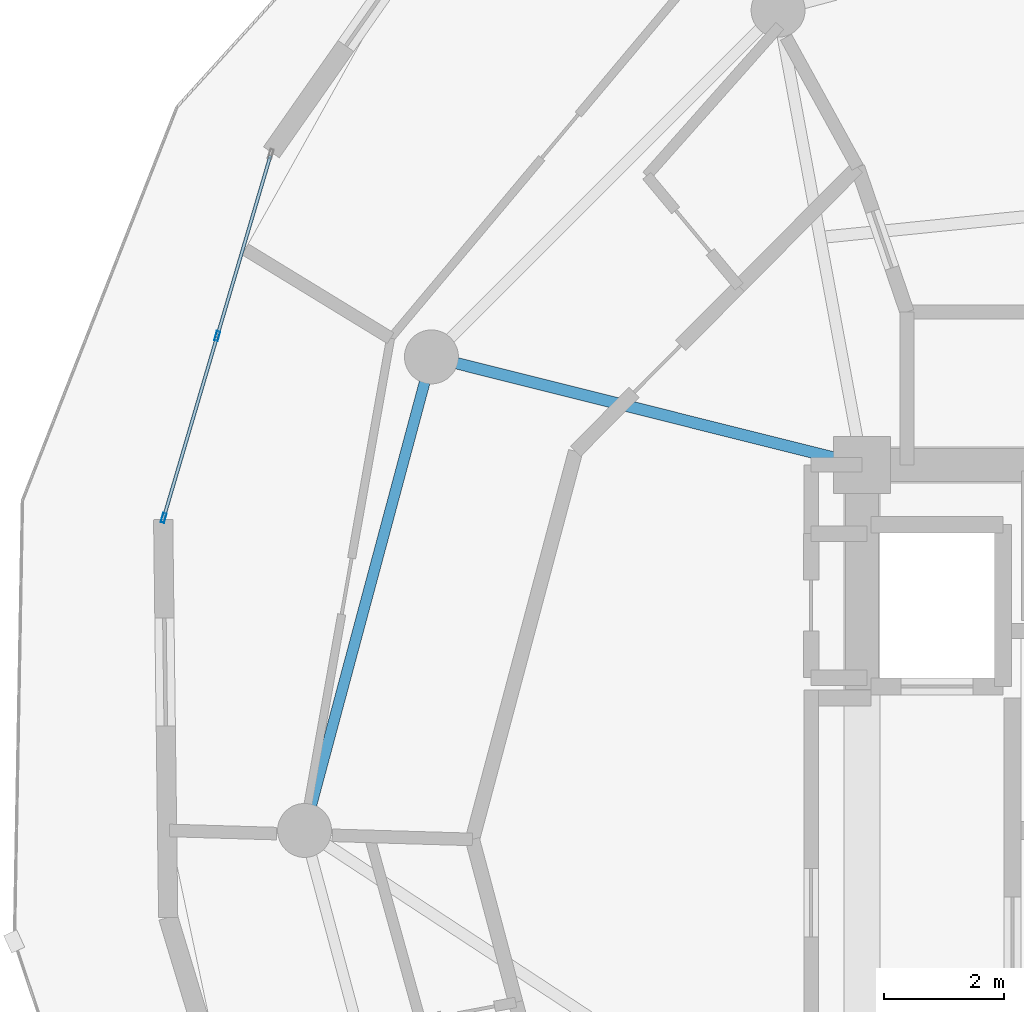
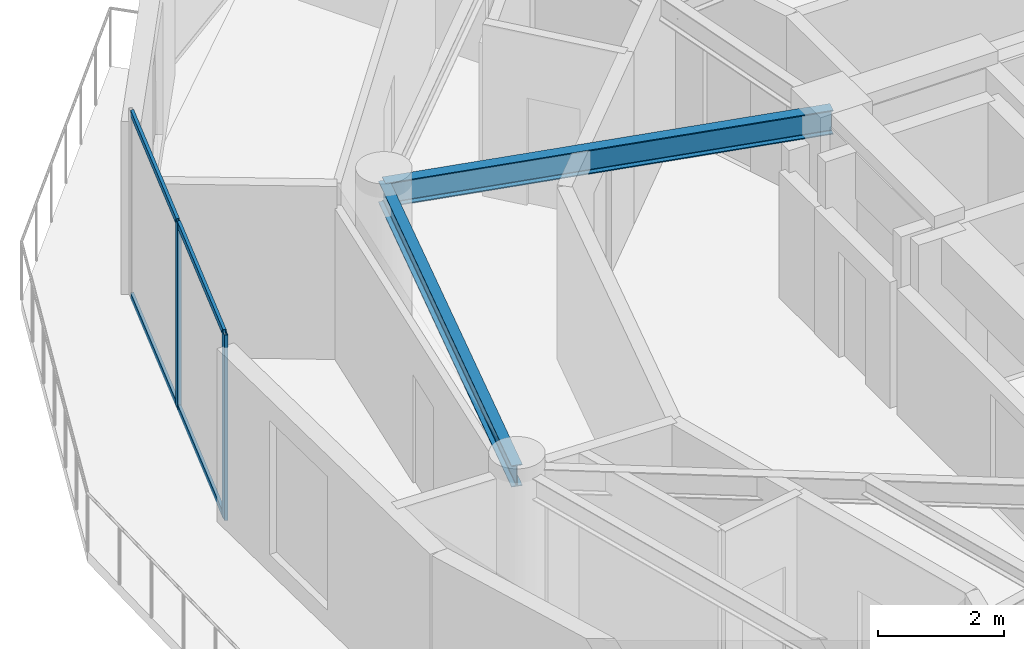
# One storey, part 7 of 21: 6 members, 2 beams, 1 element without a shape of its own.
"""IFC4 building model written with IfcOpenShell, lengths in metres."""

from ifc_helpers import new_model, si_unit, direction, frame, origin, origin_2d, place, context, subcontext, project, spatial, hollow_rectangle, i_section, extrude, source, transform, mapped, material, layer, layer_set, material_profile, profile_set, type_object, element, aggregate, save


model = new_model("IFC4")

# Units and contexts
model_context = context("Model", 3, precision=1e-05, world=origin(), true_north=direction((0.0, 1.0)))
body_context = subcontext(model_context, "Body", "Model", "MODEL_VIEW")
ifc_project = project(units=[si_unit("LENGTHUNIT", "METRE"), si_unit("AREAUNIT", "SQUARE_METRE"), si_unit("VOLUMEUNIT", "CUBIC_METRE"), si_unit("PLANEANGLEUNIT", "RADIAN"), si_unit("MASSUNIT", "GRAM", prefix="KILO")], contexts=[model_context])

# Site, building, storey
site_placement = place(None, origin())
site = spatial("IfcSite", under=ifc_project, at=site_placement, CompositionType="ELEMENT")
building_placement = place(site_placement, origin())
building = spatial("IfcBuilding", under=site, at=building_placement, Name="Solvirekh Grand Hotel", CompositionType="ELEMENT")
storey_placement = place(building_placement, frame((0.0, 0.0, 205.60009765625)))
storey = spatial("IfcBuildingStorey", under=building, at=storey_placement, Name="L53", CompositionType="ELEMENT", Elevation=205.60009765625)

# Beams
ifc_material_1 = material(Name="Steel S355", Category="steel")
ifc_material_profile_1 = material_profile(ifc_material_1, i_section(OverallWidth=0.194091796875, OverallDepth=0.468994140625, WebThickness=0.010986328125, FlangeThickness=0.01904296875, FilletRadius=0.012939453125, at=origin_2d()), Name="W460X106")
ifc_profile_set_1 = profile_set([ifc_material_profile_1], Name="Steel S355")
beam_type_1 = type_object("IfcBeamType", Name="Beam_Radial_W460H", PredefinedType="BEAM", material=ifc_profile_set_1)
beam_1_placement = place(storey_placement, frame((-6.5, 6.10009765625, 3.1259765625), z_axis=(-0.970014367692, 0.243047580675, 0.0), x_axis=(-0.243047580675, -0.970014367692, 0.0)))
element("IfcBeam", 1, at=beam_1_placement, inside=storey, type_object=beam_type_1, Name="L53 radial floor beam R06", PredefinedType="BEAM", context=body_context, shape_type="SweptSolid", body=[
    extrude(i_section(OverallWidth=0.194091796875, OverallDepth=0.468994140625, WebThickness=0.010986328125, FlangeThickness=0.01904296875, FilletRadius=0.012939453125, at=origin_2d()), origin(), (0.0, 0.0, 1.0), 7.4052734375),
])
ifc_material_profile_2 = material_profile(ifc_material_1, i_section(OverallWidth=0.180908203125, OverallDepth=0.4169921875, WebThickness=0.010009765625, FlangeThickness=0.01611328125, FilletRadius=0.011962890625, at=origin_2d()), Name="W410X85")
ifc_profile_set_2 = profile_set([ifc_material_profile_2], Name="Steel S355")
beam_type_2 = type_object("IfcBeamType", Name="Spandrel_Ring_W410", PredefinedType="SPANDREL", material=ifc_profile_set_2)
beam_2_placement = place(storey_placement, frame((-13.68310546875, 7.89990234375, 3.15185546875), z_axis=(-0.258838541915, -0.965920601923, 0.0), x_axis=(0.965920601923, -0.258838541915, 0.0)))
element("IfcBeam", 2, at=beam_2_placement, inside=storey, type_object=beam_type_2, Name="L53 perimeter spandrel beam 6", PredefinedType="SPANDREL", context=body_context, shape_type="SweptSolid", body=[
    extrude(i_section(OverallWidth=0.180908203125, OverallDepth=0.4169921875, WebThickness=0.010009765625, FlangeThickness=0.01611328125, FilletRadius=0.011962890625, at=origin_2d()), origin(), (0.0, 0.0, 1.0), 8.1787109375),
])

# Curtain wall, members
ifc_material_2 = material(Name="Anodized Bronze Aluminium 6063-T6", Category="aluminium")
ifc_layer = layer(ifc_material_2, 0.159912109375)
ifc_layer_set = layer_set([ifc_layer], Name="Anodized Bronze Aluminium 6063-T6")
curtain_wall_type = type_object("IfcCurtainWallType", Name="CW_Sys4_HighZoneFlushBronzeCW", PredefinedType="NOTDEFINED", material=ifc_layer_set)
curtain_wall_placement = place(storey_placement, origin())
curtain_wall = element("IfcCurtainWall", 3, at=curtain_wall_placement, inside=storey, type_object=curtain_wall_type, Name="L53 unitised bronze-glass curtain wall CW-L53-C13", PredefinedType="NOTDEFINED")
ifc_material_profile_3 = material_profile(ifc_material_2, hollow_rectangle(XDim=0.054931640625, YDim=0.1201171875, WallThickness=0.00390625, at=origin_2d()), Name="ALU RHS 120X55X4")
ifc_profile_set_3 = profile_set([ifc_material_profile_3], Name="Anodized Bronze Aluminium 6063-T6")
member_type_1 = type_object("IfcMemberType", Name="CWTransom_Sys4", PredefinedType="USERDEFINED", material=ifc_profile_set_3)
shared_shape_1 = source(origin(), body_context, "Body", "SweptSolid", [
    extrude(hollow_rectangle(XDim=0.054931640625, YDim=0.1201171875, WallThickness=0.00390625, at=origin_2d()), origin(), (0.0, 0.0, 1.0), 3.1044921875),
])
member_1_placement = place(storey_placement, frame((-17.264404296875, 8.22021484375, 0.02734375), z_axis=(-0.282719779961, -0.959202546921, 0.0), x_axis=(0.959202546921, -0.282719779961, 0.0)))
member_1 = element("IfcMember", 4, at=member_1_placement, type_object=member_type_1, Name="U04 transom 2.1", ObjectType="TRANSOM", PredefinedType="USERDEFINED", context=body_context, shape_type="MappedRepresentation", body=[
    mapped(shared_shape_1, transform((0.0, 0.0, 0.0), x_axis=(1.0, 0.0, 0.0), y_axis=(0.0, 1.0, 0.0), z_axis=(0.0, 0.0, 1.0), scale=1.0)),
])
member_2_placement = place(storey_placement, frame((-17.264404296875, 8.22021484375, 3.572509765625), z_axis=(-0.282719779961, -0.959202546921, 0.0), x_axis=(0.959202546921, -0.282719779961, 0.0)))
member_2 = element("IfcMember", 5, at=member_2_placement, type_object=member_type_1, Name="U04 transom 2.2", ObjectType="TRANSOM", PredefinedType="USERDEFINED", context=body_context, shape_type="MappedRepresentation", body=[
    mapped(shared_shape_1, transform((0.0, 0.0, 0.0), x_axis=(1.0, 0.0, 0.0), y_axis=(0.0, 1.0, 0.0), z_axis=(0.0, 0.0, 1.0), scale=1.0)),
])
ifc_material_profile_4 = material_profile(ifc_material_2, hollow_rectangle(XDim=0.06005859375, YDim=0.159912109375, WallThickness=0.0048828125, at=origin_2d()), Name="ALU RHS 160X60X5")
ifc_profile_set_4 = profile_set([ifc_material_profile_4], Name="Anodized Bronze Aluminium 6063-T6")
member_type_2 = type_object("IfcMemberType", Name="CWMullion_Sys4", PredefinedType="MULLION", material=ifc_profile_set_4)
shared_shape_2 = source(origin(), body_context, "Body", "SweptSolid", [
    extrude(hollow_rectangle(XDim=0.06005859375, YDim=0.159912109375, WallThickness=0.0048828125, at=origin_2d()), origin(), (0.0, 0.0, 1.0), 3.599853515625),
])
member_3_placement = place(storey_placement, frame((-17.256103515625, 8.2490234375, 0.0), z_axis=(0.0, 0.0, 1.0), x_axis=(0.959210822515, -0.282691701277, 0.0)))
member_3 = element("IfcMember", 6, at=member_3_placement, type_object=member_type_2, Name="U04 mullion 2", PredefinedType="MULLION", context=body_context, shape_type="MappedRepresentation", body=[
    mapped(shared_shape_2, transform((0.0, 0.0, 0.0), x_axis=(1.0, 0.0, 0.0), y_axis=(0.0, 1.0, 0.0), z_axis=(0.0, 0.0, 1.0), scale=1.0)),
])
member_4_placement = place(storey_placement, frame((-18.150634765625, 5.2138671875, 0.0), z_axis=(0.0, 0.0, 1.0), x_axis=(0.959210822515, -0.282691701277, 0.0)))
member_4 = element("IfcMember", 7, at=member_4_placement, type_object=member_type_2, Name="U04 mullion 3", PredefinedType="MULLION", context=body_context, shape_type="MappedRepresentation", body=[
    mapped(shared_shape_2, transform((0.0, 0.0, 0.0), x_axis=(1.0, 0.0, 0.0), y_axis=(0.0, 1.0, 0.0), z_axis=(0.0, 0.0, 1.0), scale=1.0)),
])
shared_shape_3 = source(origin(), body_context, "Body", "SweptSolid", [
    extrude(hollow_rectangle(XDim=0.054931640625, YDim=0.1201171875, WallThickness=0.00390625, at=origin_2d()), origin(), (0.0, 0.0, 1.0), 3.104248046875),
])
member_5_placement = place(storey_placement, frame((-16.369873046875, 11.25537109375, 0.02734375), z_axis=(-0.282741108207, -0.959196260277, 0.0), x_axis=(0.959196260277, -0.282741108207, 0.0)))
member_5 = element("IfcMember", 8, at=member_5_placement, type_object=member_type_1, Name="U04 transom 1.1", ObjectType="TRANSOM", PredefinedType="USERDEFINED", context=body_context, shape_type="MappedRepresentation", body=[
    mapped(shared_shape_3, transform((0.0, 0.0, 0.0), x_axis=(1.0, 0.0, 0.0), y_axis=(0.0, 1.0, 0.0), z_axis=(0.0, 0.0, 1.0), scale=1.0)),
])
member_6_placement = place(storey_placement, frame((-16.369873046875, 11.25537109375, 3.572509765625), z_axis=(-0.282741108207, -0.959196260277, 0.0), x_axis=(0.959196260277, -0.282741108207, 0.0)))
member_6 = element("IfcMember", 9, at=member_6_placement, type_object=member_type_1, Name="U04 transom 1.2", ObjectType="TRANSOM", PredefinedType="USERDEFINED", context=body_context, shape_type="MappedRepresentation", body=[
    mapped(shared_shape_3, transform((0.0, 0.0, 0.0), x_axis=(1.0, 0.0, 0.0), y_axis=(0.0, 1.0, 0.0), z_axis=(0.0, 0.0, 1.0), scale=1.0)),
])
aggregate(curtain_wall, [member_3, member_4, member_5, member_6, member_1, member_2])

save(model, "model.ifc")
